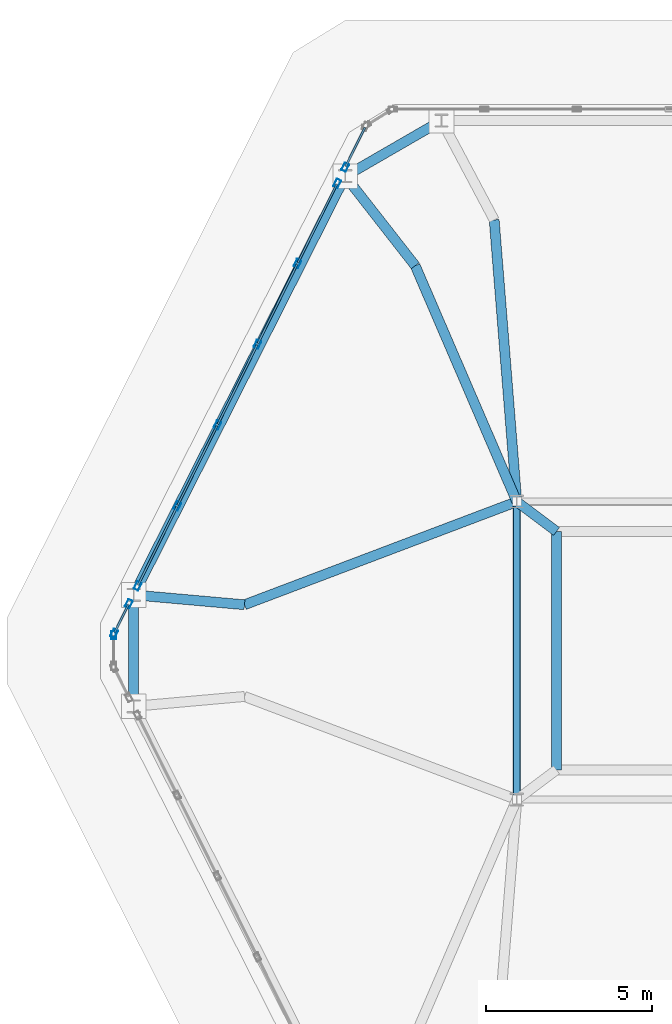
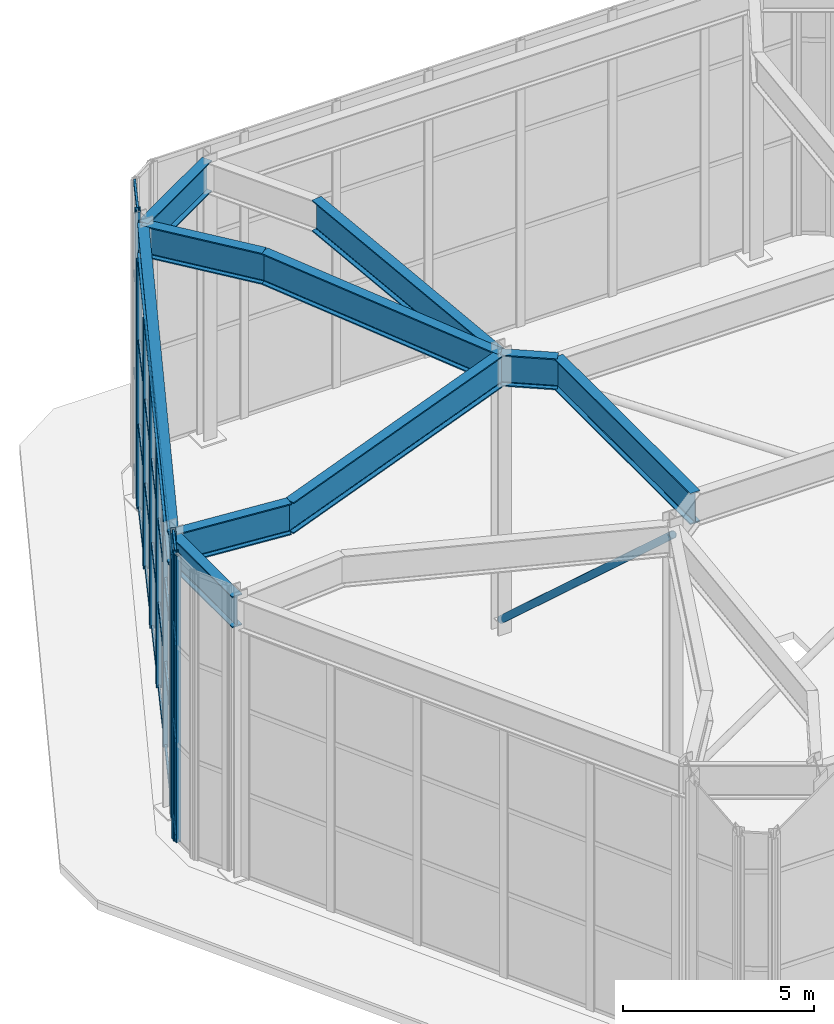
# One storey, part 5 of 12: 39 members, 10 beams, 4 elements without a shape of their own.
"""IFC4 building model written with IfcOpenShell, lengths in metres."""

from ifc_helpers import new_model, si_unit, direction, frame, origin, origin_2d, place, context, subcontext, project, spatial, hollow_rectangle, hollow_circle, i_section, extrude, material, layer, layer_set, material_profile, profile_set, type_object, element, aggregate, save


model = new_model("IFC4")

# Units and contexts
model_context = context("Model", 3, precision=1e-05, world=origin(), true_north=direction((0.0, 1.0)))
body_context = subcontext(model_context, "Body", "Model", "MODEL_VIEW")
ifc_project = project(units=[si_unit("LENGTHUNIT", "METRE"), si_unit("AREAUNIT", "SQUARE_METRE"), si_unit("VOLUMEUNIT", "CUBIC_METRE"), si_unit("PLANEANGLEUNIT", "RADIAN"), si_unit("MASSUNIT", "GRAM", prefix="KILO")], contexts=[model_context])

# Site, building, storey
site_placement = place(None, origin())
site = spatial("IfcSite", under=ifc_project, at=site_placement, CompositionType="ELEMENT")
building_placement = place(site_placement, origin())
building = spatial("IfcBuilding", under=site, at=building_placement, Name="Cinnabar Lancet Tower", CompositionType="ELEMENT")
storey_placement = place(building_placement, frame((0.0, 0.0, 305.5)))
storey = spatial("IfcBuildingStorey", under=building, at=storey_placement, Name="L80", CompositionType="ELEMENT", Elevation=305.5)

# Curtain wall, member
ifc_material_1 = material(Name="Thermally broken bronze-anodized aluminium and low-E glass", Category="aluminium")
ifc_layer = layer(ifc_material_1, 0.179931640625)
ifc_layer_set = layer_set([ifc_layer], Name="Thermally broken bronze-anodized aluminium and low-E glass")
curtain_wall_type = type_object("IfcCurtainWallType", Name="ENV-CW-SYS-05", PredefinedType="NOTDEFINED", material=ifc_layer_set)
curtain_wall_1_placement = place(storey_placement, origin())
curtain_wall_1 = element("IfcCurtainWall", 1, at=curtain_wall_1_placement, inside=storey, type_object=curtain_wall_type, Name="L80 Faceted Lancet Crown Curtain Wall 14", PredefinedType="NOTDEFINED")
ifc_material_2 = material(Name="Anodized architectural aluminium 6063-T6", Category="aluminium")
ifc_material_profile_1 = material_profile(ifc_material_2, hollow_rectangle(XDim=0.14990234375, YDim=0.25, WallThickness=0.010009765625, InnerFilletRadius=0.0048828125, OuterFilletRadius=0.014892578125, at=origin_2d()), Name="RHS 250x150x10")
ifc_profile_set_1 = profile_set([ifc_material_profile_1], Name="Anodized architectural aluminium 6063-T6")
member_type_1 = type_object("IfcMemberType", Name="ENV-CW-MUL-260", PredefinedType="MULLION", material=ifc_profile_set_1)
member_1_placement = place(storey_placement, frame((21.21728515625, 40.40185546875, 0.0), z_axis=(0.0, 0.0, 1.0), x_axis=(0.895820359373, -0.444416340533, 0.0)))
member_1 = element("IfcMember", 2, at=member_1_placement, type_object=member_type_1, Name="CW-05 mullion 2", PredefinedType="MULLION", context=body_context, shape_type="SweptSolid", body=[
    extrude(hollow_rectangle(XDim=0.14990234375, YDim=0.25, WallThickness=0.010009765625, InnerFilletRadius=0.0048828125, OuterFilletRadius=0.014892578125, at=origin_2d()), origin(), (0.0, 0.0, 1.0), 9.175048828125),
])

# Curtain wall, members
curtain_wall_2_placement = place(storey_placement, origin())
curtain_wall_2 = element("IfcCurtainWall", 3, at=curtain_wall_2_placement, inside=storey, type_object=curtain_wall_type, Name="L80 Faceted Lancet Crown Curtain Wall 15", PredefinedType="NOTDEFINED")
member_2_placement = place(storey_placement, frame((20.9755859375, 39.9140625, 0.0), z_axis=(0.0, 0.0, 1.0), x_axis=(0.8959477521, -0.44415945955, 0.0)))
member_2 = element("IfcMember", 4, at=member_2_placement, type_object=member_type_1, Name="CW-05 mullion 1", PredefinedType="MULLION", context=body_context, shape_type="SweptSolid", body=[
    extrude(hollow_rectangle(XDim=0.14990234375, YDim=0.25, WallThickness=0.010009765625, InnerFilletRadius=0.0048828125, OuterFilletRadius=0.014892578125, at=origin_2d()), origin(), (0.0, 0.0, 1.0), 7.9150390625),
])
member_3_placement = place(storey_placement, frame((19.778076171875, 37.498291015625, 0.0), z_axis=(0.0, 0.0, 1.0), x_axis=(0.8959477521, -0.44415945955, 0.0)))
member_3 = element("IfcMember", 5, at=member_3_placement, type_object=member_type_1, Name="CW-05 mullion 2", PredefinedType="MULLION", context=body_context, shape_type="SweptSolid", body=[
    extrude(hollow_rectangle(XDim=0.14990234375, YDim=0.25, WallThickness=0.010009765625, InnerFilletRadius=0.0048828125, OuterFilletRadius=0.014892578125, at=origin_2d()), origin(), (0.0, 0.0, 1.0), 7.9150390625),
])
member_4_placement = place(storey_placement, frame((18.56689453125, 35.055419921875, 0.0), z_axis=(0.0, 0.0, 1.0), x_axis=(0.8959477521, -0.44415945955, 0.0)))
member_4 = element("IfcMember", 6, at=member_4_placement, type_object=member_type_1, Name="CW-05 mullion 3", PredefinedType="MULLION", context=body_context, shape_type="SweptSolid", body=[
    extrude(hollow_rectangle(XDim=0.14990234375, YDim=0.25, WallThickness=0.010009765625, InnerFilletRadius=0.0048828125, OuterFilletRadius=0.014892578125, at=origin_2d()), origin(), (0.0, 0.0, 1.0), 7.9150390625),
])
member_5_placement = place(storey_placement, frame((17.35595703125, 32.612548828125, 0.0), z_axis=(0.0, 0.0, 1.0), x_axis=(0.8959477521, -0.44415945955, 0.0)))
member_5 = element("IfcMember", 7, at=member_5_placement, type_object=member_type_1, Name="CW-05 mullion 4", PredefinedType="MULLION", context=body_context, shape_type="SweptSolid", body=[
    extrude(hollow_rectangle(XDim=0.14990234375, YDim=0.25, WallThickness=0.010009765625, InnerFilletRadius=0.0048828125, OuterFilletRadius=0.014892578125, at=origin_2d()), origin(), (0.0, 0.0, 1.0), 7.9150390625),
])
member_6_placement = place(storey_placement, frame((16.14501953125, 30.169921875, 0.0), z_axis=(0.0, 0.0, 1.0), x_axis=(0.8959477521, -0.44415945955, 0.0)))
member_6 = element("IfcMember", 8, at=member_6_placement, type_object=member_type_1, Name="CW-05 mullion 5", PredefinedType="MULLION", context=body_context, shape_type="SweptSolid", body=[
    extrude(hollow_rectangle(XDim=0.14990234375, YDim=0.25, WallThickness=0.010009765625, InnerFilletRadius=0.0048828125, OuterFilletRadius=0.014892578125, at=origin_2d()), origin(), (0.0, 0.0, 1.0), 7.9150390625),
])
member_7_placement = place(storey_placement, frame((14.947265625, 27.75390625, 0.0), z_axis=(0.0, 0.0, 1.0), x_axis=(0.8959477521, -0.44415945955, 0.0)))
member_7 = element("IfcMember", 9, at=member_7_placement, type_object=member_type_1, Name="CW-05 mullion 6", PredefinedType="MULLION", context=body_context, shape_type="SweptSolid", body=[
    extrude(hollow_rectangle(XDim=0.14990234375, YDim=0.25, WallThickness=0.010009765625, InnerFilletRadius=0.0048828125, OuterFilletRadius=0.014892578125, at=origin_2d()), origin(), (0.0, 0.0, 1.0), 7.9150390625),
])

curtain_wall_3_placement = place(storey_placement, origin())
curtain_wall_3 = element("IfcCurtainWall", 10, at=curtain_wall_3_placement, inside=storey, type_object=curtain_wall_type, Name="L80 Faceted Lancet Crown Curtain Wall 16", PredefinedType="NOTDEFINED")
member_8_placement = place(storey_placement, frame((14.681640625, 27.217041015625, 0.0), z_axis=(0.0, 0.0, 1.0), x_axis=(0.895741955534, -0.444574345971, 0.0)))
member_8 = element("IfcMember", 11, at=member_8_placement, type_object=member_type_1, Name="CW-05 mullion 1", PredefinedType="MULLION", context=body_context, shape_type="SweptSolid", body=[
    extrude(hollow_rectangle(XDim=0.14990234375, YDim=0.25, WallThickness=0.010009765625, InnerFilletRadius=0.0048828125, OuterFilletRadius=0.014892578125, at=origin_2d()), origin(), (0.0, 0.0, 1.0), 9.175048828125),
])
member_9_placement = place(storey_placement, frame((14.236328125, 26.31982421875, 0.0), z_axis=(0.0, 0.0, 1.0), x_axis=(0.895741955534, -0.444574345971, 0.0)))
member_9 = element("IfcMember", 12, at=member_9_placement, type_object=member_type_1, Name="CW-05 mullion 2", PredefinedType="MULLION", context=body_context, shape_type="SweptSolid", body=[
    extrude(hollow_rectangle(XDim=0.14990234375, YDim=0.25, WallThickness=0.010009765625, InnerFilletRadius=0.0048828125, OuterFilletRadius=0.014892578125, at=origin_2d()), origin(), (0.0, 0.0, 1.0), 9.175048828125),
])

# Curtain wall, member
curtain_wall_4_placement = place(storey_placement, origin())
curtain_wall_4 = element("IfcCurtainWall", 13, at=curtain_wall_4_placement, inside=storey, type_object=curtain_wall_type, Name="L80 Faceted Lancet Crown Curtain Wall 17", PredefinedType="NOTDEFINED")
member_10_placement = place(storey_placement, frame((14.222900390625, 26.262939453125, 0.0), z_axis=(0.0, 0.0, 1.0), x_axis=(1.0, 0.0, 0.0)))
member_10 = element("IfcMember", 14, at=member_10_placement, type_object=member_type_1, Name="CW-05 mullion 1", PredefinedType="MULLION", context=body_context, shape_type="SweptSolid", body=[
    extrude(hollow_rectangle(XDim=0.14990234375, YDim=0.25, WallThickness=0.010009765625, InnerFilletRadius=0.0048828125, OuterFilletRadius=0.014892578125, at=origin_2d()), origin(), (0.0, 0.0, 1.0), 9.175048828125),
])
aggregate(curtain_wall_4, [member_10])

# Member
ifc_material_3 = material(Name="Anodized architectural aluminium 6063-T6", Category="aluminium")
ifc_material_profile_2 = material_profile(ifc_material_3, hollow_rectangle(XDim=0.06494140625, YDim=0.14990234375, WallThickness=0.00390625, InnerFilletRadius=0.001953125, OuterFilletRadius=0.006103515625, at=origin_2d()), Name="CW-TRN 150x65x4")
ifc_profile_set_2 = profile_set([ifc_material_profile_2], Name="Anodized architectural aluminium 6063-T6")
member_type_2 = type_object("IfcMemberType", Name="ENV-CW-TRN-160", PredefinedType="USERDEFINED", material=ifc_profile_set_2)
member_11_placement = place(storey_placement, frame((21.813232421875, 41.603271484375, 0.030029296875), z_axis=(-0.444306300403, -0.895874941843, 0.0), x_axis=(0.895874941843, -0.444306300403, 0.0)))
member_11 = element("IfcMember", 15, at=member_11_placement, type_object=member_type_2, Name="CW-05 transom 1.1", ObjectType="TRANSOM", PredefinedType="USERDEFINED", context=body_context, shape_type="SweptSolid", body=[
    extrude(hollow_rectangle(XDim=0.06494140625, YDim=0.14990234375, WallThickness=0.00390625, InnerFilletRadius=0.001953125, OuterFilletRadius=0.006103515625, at=origin_2d()), origin(), (0.0, 0.0, 1.0), 1.31103515625),
])

member_12_placement = place(storey_placement, frame((21.813232421875, 41.603271484375, 3.1201171875), z_axis=(-0.444306300403, -0.895874941843, 0.0), x_axis=(0.895874941843, -0.444306300403, 0.0)))
member_12 = element("IfcMember", 16, at=member_12_placement, type_object=member_type_2, Name="CW-05 transom 1.2", ObjectType="TRANSOM", PredefinedType="USERDEFINED", context=body_context, shape_type="SweptSolid", body=[
    extrude(hollow_rectangle(XDim=0.06494140625, YDim=0.14990234375, WallThickness=0.00390625, InnerFilletRadius=0.001953125, OuterFilletRadius=0.006103515625, at=origin_2d()), origin(), (0.0, 0.0, 1.0), 1.31103515625),
])

member_13_placement = place(storey_placement, frame((21.813232421875, 41.603271484375, 6.239013671875), z_axis=(-0.444306300403, -0.895874941843, 0.0), x_axis=(0.895874941843, -0.444306300403, 0.0)))
member_13 = element("IfcMember", 17, at=member_13_placement, type_object=member_type_2, Name="CW-05 transom 1.3", ObjectType="TRANSOM", PredefinedType="USERDEFINED", context=body_context, shape_type="SweptSolid", body=[
    extrude(hollow_rectangle(XDim=0.06494140625, YDim=0.14990234375, WallThickness=0.00390625, InnerFilletRadius=0.001953125, OuterFilletRadius=0.006103515625, at=origin_2d()), origin(), (0.0, 0.0, 1.0), 1.31103515625),
])

member_14_placement = place(storey_placement, frame((21.813232421875, 41.603271484375, 9.14501953125), z_axis=(-0.444306300403, -0.895874941843, 0.0), x_axis=(0.895874941843, -0.444306300403, 0.0)))
member_14 = element("IfcMember", 18, at=member_14_placement, type_object=member_type_2, Name="CW-05 transom 1.4", ObjectType="TRANSOM", PredefinedType="USERDEFINED", context=body_context, shape_type="SweptSolid", body=[
    extrude(hollow_rectangle(XDim=0.06494140625, YDim=0.14990234375, WallThickness=0.00390625, InnerFilletRadius=0.001953125, OuterFilletRadius=0.006103515625, at=origin_2d()), origin(), (0.0, 0.0, 1.0), 1.31103515625),
])

aggregate(curtain_wall_1, [member_1, member_11, member_12, member_13, member_14])

member_15_placement = place(storey_placement, frame((20.96240234375, 39.88720703125, 0.030029296875), z_axis=(-0.444210781456, -0.895922307814, 0.0), x_axis=(0.895922307814, -0.444210781456, 0.0)))
member_15 = element("IfcMember", 19, at=member_15_placement, type_object=member_type_2, Name="CW-05 transom 1.1", ObjectType="TRANSOM", PredefinedType="USERDEFINED", context=body_context, shape_type="SweptSolid", body=[
    extrude(hollow_rectangle(XDim=0.06494140625, YDim=0.14990234375, WallThickness=0.00390625, InnerFilletRadius=0.001953125, OuterFilletRadius=0.006103515625, at=origin_2d()), origin(), (0.0, 0.0, 1.0), 2.636474609375),
])

member_16_placement = place(storey_placement, frame((20.96240234375, 39.88720703125, 2.69091796875), z_axis=(-0.444210781456, -0.895922307814, 0.0), x_axis=(0.895922307814, -0.444210781456, 0.0)))
member_16 = element("IfcMember", 20, at=member_16_placement, type_object=member_type_2, Name="CW-05 transom 1.2", ObjectType="TRANSOM", PredefinedType="USERDEFINED", context=body_context, shape_type="SweptSolid", body=[
    extrude(hollow_rectangle(XDim=0.06494140625, YDim=0.14990234375, WallThickness=0.00390625, InnerFilletRadius=0.001953125, OuterFilletRadius=0.006103515625, at=origin_2d()), origin(), (0.0, 0.0, 1.0), 2.636474609375),
])

member_17_placement = place(storey_placement, frame((20.96240234375, 39.88720703125, 5.382080078125), z_axis=(-0.444210781456, -0.895922307814, 0.0), x_axis=(0.895922307814, -0.444210781456, 0.0)))
member_17 = element("IfcMember", 21, at=member_17_placement, type_object=member_type_2, Name="CW-05 transom 1.3", ObjectType="TRANSOM", PredefinedType="USERDEFINED", context=body_context, shape_type="SweptSolid", body=[
    extrude(hollow_rectangle(XDim=0.06494140625, YDim=0.14990234375, WallThickness=0.00390625, InnerFilletRadius=0.001953125, OuterFilletRadius=0.006103515625, at=origin_2d()), origin(), (0.0, 0.0, 1.0), 2.636474609375),
])

member_18_placement = place(storey_placement, frame((20.96240234375, 39.88720703125, 7.885009765625), z_axis=(-0.444210781456, -0.895922307814, 0.0), x_axis=(0.895922307814, -0.444210781456, 0.0)))
member_18 = element("IfcMember", 22, at=member_18_placement, type_object=member_type_2, Name="CW-05 transom 1.4", ObjectType="TRANSOM", PredefinedType="USERDEFINED", context=body_context, shape_type="SweptSolid", body=[
    extrude(hollow_rectangle(XDim=0.06494140625, YDim=0.14990234375, WallThickness=0.00390625, InnerFilletRadius=0.001953125, OuterFilletRadius=0.006103515625, at=origin_2d()), origin(), (0.0, 0.0, 1.0), 2.636474609375),
])

member_19_placement = place(storey_placement, frame((19.7646484375, 37.471435546875, 0.030029296875), z_axis=(-0.44413469279, -0.895960029611, 0.0), x_axis=(0.895960029611, -0.44413469279, 0.0)))
member_19 = element("IfcMember", 23, at=member_19_placement, type_object=member_type_2, Name="CW-05 transom 2.1", ObjectType="TRANSOM", PredefinedType="USERDEFINED", context=body_context, shape_type="SweptSolid", body=[
    extrude(hollow_rectangle(XDim=0.06494140625, YDim=0.14990234375, WallThickness=0.00390625, InnerFilletRadius=0.001953125, OuterFilletRadius=0.006103515625, at=origin_2d()), origin(), (0.0, 0.0, 1.0), 2.66650390625),
])

member_20_placement = place(storey_placement, frame((19.7646484375, 37.471435546875, 2.69091796875), z_axis=(-0.44413469279, -0.895960029611, 0.0), x_axis=(0.895960029611, -0.44413469279, 0.0)))
member_20 = element("IfcMember", 24, at=member_20_placement, type_object=member_type_2, Name="CW-05 transom 2.2", ObjectType="TRANSOM", PredefinedType="USERDEFINED", context=body_context, shape_type="SweptSolid", body=[
    extrude(hollow_rectangle(XDim=0.06494140625, YDim=0.14990234375, WallThickness=0.00390625, InnerFilletRadius=0.001953125, OuterFilletRadius=0.006103515625, at=origin_2d()), origin(), (0.0, 0.0, 1.0), 2.66650390625),
])

member_21_placement = place(storey_placement, frame((19.7646484375, 37.471435546875, 5.382080078125), z_axis=(-0.44413469279, -0.895960029611, 0.0), x_axis=(0.895960029611, -0.44413469279, 0.0)))
member_21 = element("IfcMember", 25, at=member_21_placement, type_object=member_type_2, Name="CW-05 transom 2.3", ObjectType="TRANSOM", PredefinedType="USERDEFINED", context=body_context, shape_type="SweptSolid", body=[
    extrude(hollow_rectangle(XDim=0.06494140625, YDim=0.14990234375, WallThickness=0.00390625, InnerFilletRadius=0.001953125, OuterFilletRadius=0.006103515625, at=origin_2d()), origin(), (0.0, 0.0, 1.0), 2.66650390625),
])

member_22_placement = place(storey_placement, frame((19.7646484375, 37.471435546875, 7.885009765625), z_axis=(-0.44413469279, -0.895960029611, 0.0), x_axis=(0.895960029611, -0.44413469279, 0.0)))
member_22 = element("IfcMember", 26, at=member_22_placement, type_object=member_type_2, Name="CW-05 transom 2.4", ObjectType="TRANSOM", PredefinedType="USERDEFINED", context=body_context, shape_type="SweptSolid", body=[
    extrude(hollow_rectangle(XDim=0.06494140625, YDim=0.14990234375, WallThickness=0.00390625, InnerFilletRadius=0.001953125, OuterFilletRadius=0.006103515625, at=origin_2d()), origin(), (0.0, 0.0, 1.0), 2.66650390625),
])

member_23_placement = place(storey_placement, frame((18.5537109375, 35.028564453125, 0.030029296875), z_axis=(-0.44413469279, -0.895960029611, 0.0), x_axis=(0.895960029611, -0.44413469279, 0.0)))
member_23 = element("IfcMember", 27, at=member_23_placement, type_object=member_type_2, Name="CW-05 transom 3.1", ObjectType="TRANSOM", PredefinedType="USERDEFINED", context=body_context, shape_type="SweptSolid", body=[
    extrude(hollow_rectangle(XDim=0.06494140625, YDim=0.14990234375, WallThickness=0.00390625, InnerFilletRadius=0.001953125, OuterFilletRadius=0.006103515625, at=origin_2d()), origin(), (0.0, 0.0, 1.0), 2.66650390625),
])

member_24_placement = place(storey_placement, frame((18.5537109375, 35.028564453125, 2.69091796875), z_axis=(-0.44413469279, -0.895960029611, 0.0), x_axis=(0.895960029611, -0.44413469279, 0.0)))
member_24 = element("IfcMember", 28, at=member_24_placement, type_object=member_type_2, Name="CW-05 transom 3.2", ObjectType="TRANSOM", PredefinedType="USERDEFINED", context=body_context, shape_type="SweptSolid", body=[
    extrude(hollow_rectangle(XDim=0.06494140625, YDim=0.14990234375, WallThickness=0.00390625, InnerFilletRadius=0.001953125, OuterFilletRadius=0.006103515625, at=origin_2d()), origin(), (0.0, 0.0, 1.0), 2.66650390625),
])

member_25_placement = place(storey_placement, frame((18.5537109375, 35.028564453125, 5.382080078125), z_axis=(-0.44413469279, -0.895960029611, 0.0), x_axis=(0.895960029611, -0.44413469279, 0.0)))
member_25 = element("IfcMember", 29, at=member_25_placement, type_object=member_type_2, Name="CW-05 transom 3.3", ObjectType="TRANSOM", PredefinedType="USERDEFINED", context=body_context, shape_type="SweptSolid", body=[
    extrude(hollow_rectangle(XDim=0.06494140625, YDim=0.14990234375, WallThickness=0.00390625, InnerFilletRadius=0.001953125, OuterFilletRadius=0.006103515625, at=origin_2d()), origin(), (0.0, 0.0, 1.0), 2.66650390625),
])

member_26_placement = place(storey_placement, frame((18.5537109375, 35.028564453125, 7.885009765625), z_axis=(-0.44413469279, -0.895960029611, 0.0), x_axis=(0.895960029611, -0.44413469279, 0.0)))
member_26 = element("IfcMember", 30, at=member_26_placement, type_object=member_type_2, Name="CW-05 transom 3.4", ObjectType="TRANSOM", PredefinedType="USERDEFINED", context=body_context, shape_type="SweptSolid", body=[
    extrude(hollow_rectangle(XDim=0.06494140625, YDim=0.14990234375, WallThickness=0.00390625, InnerFilletRadius=0.001953125, OuterFilletRadius=0.006103515625, at=origin_2d()), origin(), (0.0, 0.0, 1.0), 2.66650390625),
])

member_27_placement = place(storey_placement, frame((17.3427734375, 32.585693359375, 0.030029296875), z_axis=(-0.444244621799, -0.895905528503, 0.0), x_axis=(0.895905528503, -0.444244621799, 0.0)))
member_27 = element("IfcMember", 31, at=member_27_placement, type_object=member_type_2, Name="CW-05 transom 4.1", ObjectType="TRANSOM", PredefinedType="USERDEFINED", context=body_context, shape_type="SweptSolid", body=[
    extrude(hollow_rectangle(XDim=0.06494140625, YDim=0.14990234375, WallThickness=0.00390625, InnerFilletRadius=0.001953125, OuterFilletRadius=0.006103515625, at=origin_2d()), origin(), (0.0, 0.0, 1.0), 2.66650390625),
])

member_28_placement = place(storey_placement, frame((17.3427734375, 32.585693359375, 2.69091796875), z_axis=(-0.444244621799, -0.895905528503, 0.0), x_axis=(0.895905528503, -0.444244621799, 0.0)))
member_28 = element("IfcMember", 32, at=member_28_placement, type_object=member_type_2, Name="CW-05 transom 4.2", ObjectType="TRANSOM", PredefinedType="USERDEFINED", context=body_context, shape_type="SweptSolid", body=[
    extrude(hollow_rectangle(XDim=0.06494140625, YDim=0.14990234375, WallThickness=0.00390625, InnerFilletRadius=0.001953125, OuterFilletRadius=0.006103515625, at=origin_2d()), origin(), (0.0, 0.0, 1.0), 2.66650390625),
])

member_29_placement = place(storey_placement, frame((17.3427734375, 32.585693359375, 5.382080078125), z_axis=(-0.444244621799, -0.895905528503, 0.0), x_axis=(0.895905528503, -0.444244621799, 0.0)))
member_29 = element("IfcMember", 33, at=member_29_placement, type_object=member_type_2, Name="CW-05 transom 4.3", ObjectType="TRANSOM", PredefinedType="USERDEFINED", context=body_context, shape_type="SweptSolid", body=[
    extrude(hollow_rectangle(XDim=0.06494140625, YDim=0.14990234375, WallThickness=0.00390625, InnerFilletRadius=0.001953125, OuterFilletRadius=0.006103515625, at=origin_2d()), origin(), (0.0, 0.0, 1.0), 2.66650390625),
])

member_30_placement = place(storey_placement, frame((17.3427734375, 32.585693359375, 7.885009765625), z_axis=(-0.444244621799, -0.895905528503, 0.0), x_axis=(0.895905528503, -0.444244621799, 0.0)))
member_30 = element("IfcMember", 34, at=member_30_placement, type_object=member_type_2, Name="CW-05 transom 4.4", ObjectType="TRANSOM", PredefinedType="USERDEFINED", context=body_context, shape_type="SweptSolid", body=[
    extrude(hollow_rectangle(XDim=0.06494140625, YDim=0.14990234375, WallThickness=0.00390625, InnerFilletRadius=0.001953125, OuterFilletRadius=0.006103515625, at=origin_2d()), origin(), (0.0, 0.0, 1.0), 2.66650390625),
])

member_31_placement = place(storey_placement, frame((16.131591796875, 30.142822265625, 0.030029296875), z_axis=(-0.444136447563, -0.895959159753, 0.0), x_axis=(0.895959159753, -0.444136447563, 0.0)))
member_31 = element("IfcMember", 35, at=member_31_placement, type_object=member_type_2, Name="CW-05 transom 5.1", ObjectType="TRANSOM", PredefinedType="USERDEFINED", context=body_context, shape_type="SweptSolid", body=[
    extrude(hollow_rectangle(XDim=0.06494140625, YDim=0.14990234375, WallThickness=0.00390625, InnerFilletRadius=0.001953125, OuterFilletRadius=0.006103515625, at=origin_2d()), origin(), (0.0, 0.0, 1.0), 2.63623046875),
])

member_32_placement = place(storey_placement, frame((16.131591796875, 30.142822265625, 2.69091796875), z_axis=(-0.444136447563, -0.895959159753, 0.0), x_axis=(0.895959159753, -0.444136447563, 0.0)))
member_32 = element("IfcMember", 36, at=member_32_placement, type_object=member_type_2, Name="CW-05 transom 5.2", ObjectType="TRANSOM", PredefinedType="USERDEFINED", context=body_context, shape_type="SweptSolid", body=[
    extrude(hollow_rectangle(XDim=0.06494140625, YDim=0.14990234375, WallThickness=0.00390625, InnerFilletRadius=0.001953125, OuterFilletRadius=0.006103515625, at=origin_2d()), origin(), (0.0, 0.0, 1.0), 2.63623046875),
])

member_33_placement = place(storey_placement, frame((16.131591796875, 30.142822265625, 5.382080078125), z_axis=(-0.444136447563, -0.895959159753, 0.0), x_axis=(0.895959159753, -0.444136447563, 0.0)))
member_33 = element("IfcMember", 37, at=member_33_placement, type_object=member_type_2, Name="CW-05 transom 5.3", ObjectType="TRANSOM", PredefinedType="USERDEFINED", context=body_context, shape_type="SweptSolid", body=[
    extrude(hollow_rectangle(XDim=0.06494140625, YDim=0.14990234375, WallThickness=0.00390625, InnerFilletRadius=0.001953125, OuterFilletRadius=0.006103515625, at=origin_2d()), origin(), (0.0, 0.0, 1.0), 2.63623046875),
])

member_34_placement = place(storey_placement, frame((16.131591796875, 30.142822265625, 7.885009765625), z_axis=(-0.444136447563, -0.895959159753, 0.0), x_axis=(0.895959159753, -0.444136447563, 0.0)))
member_34 = element("IfcMember", 38, at=member_34_placement, type_object=member_type_2, Name="CW-05 transom 5.4", ObjectType="TRANSOM", PredefinedType="USERDEFINED", context=body_context, shape_type="SweptSolid", body=[
    extrude(hollow_rectangle(XDim=0.06494140625, YDim=0.14990234375, WallThickness=0.00390625, InnerFilletRadius=0.001953125, OuterFilletRadius=0.006103515625, at=origin_2d()), origin(), (0.0, 0.0, 1.0), 2.63623046875),
])

aggregate(curtain_wall_2, [member_2, member_3, member_4, member_5, member_6, member_7, member_15, member_16, member_17, member_18, member_19, member_20, member_21, member_22, member_23, member_24, member_25, member_26, member_27, member_28, member_29, member_30, member_31, member_32, member_33, member_34])

member_35_placement = place(storey_placement, frame((14.668212890625, 27.190185546875, 0.030029296875), z_axis=(-0.444411146811, -0.895822935959, 0.0), x_axis=(0.895822935959, -0.444411146811, 0.0)))
member_35 = element("IfcMember", 39, at=member_35_placement, type_object=member_type_2, Name="CW-05 transom 1.1", ObjectType="TRANSOM", PredefinedType="USERDEFINED", context=body_context, shape_type="SweptSolid", body=[
    extrude(hollow_rectangle(XDim=0.06494140625, YDim=0.14990234375, WallThickness=0.00390625, InnerFilletRadius=0.001953125, OuterFilletRadius=0.006103515625, at=origin_2d()), origin(), (0.0, 0.0, 1.0), 0.941650390625),
])

member_36_placement = place(storey_placement, frame((14.668212890625, 27.190185546875, 3.1201171875), z_axis=(-0.444411146811, -0.895822935959, 0.0), x_axis=(0.895822935959, -0.444411146811, 0.0)))
member_36 = element("IfcMember", 40, at=member_36_placement, type_object=member_type_2, Name="CW-05 transom 1.2", ObjectType="TRANSOM", PredefinedType="USERDEFINED", context=body_context, shape_type="SweptSolid", body=[
    extrude(hollow_rectangle(XDim=0.06494140625, YDim=0.14990234375, WallThickness=0.00390625, InnerFilletRadius=0.001953125, OuterFilletRadius=0.006103515625, at=origin_2d()), origin(), (0.0, 0.0, 1.0), 0.941650390625),
])

member_37_placement = place(storey_placement, frame((14.668212890625, 27.190185546875, 6.239013671875), z_axis=(-0.444411146811, -0.895822935959, 0.0), x_axis=(0.895822935959, -0.444411146811, 0.0)))
member_37 = element("IfcMember", 41, at=member_37_placement, type_object=member_type_2, Name="CW-05 transom 1.3", ObjectType="TRANSOM", PredefinedType="USERDEFINED", context=body_context, shape_type="SweptSolid", body=[
    extrude(hollow_rectangle(XDim=0.06494140625, YDim=0.14990234375, WallThickness=0.00390625, InnerFilletRadius=0.001953125, OuterFilletRadius=0.006103515625, at=origin_2d()), origin(), (0.0, 0.0, 1.0), 0.941650390625),
])

member_38_placement = place(storey_placement, frame((14.668212890625, 27.190185546875, 9.14501953125), z_axis=(-0.444411146811, -0.895822935959, 0.0), x_axis=(0.895822935959, -0.444411146811, 0.0)))
member_38 = element("IfcMember", 42, at=member_38_placement, type_object=member_type_2, Name="CW-05 transom 1.4", ObjectType="TRANSOM", PredefinedType="USERDEFINED", context=body_context, shape_type="SweptSolid", body=[
    extrude(hollow_rectangle(XDim=0.06494140625, YDim=0.14990234375, WallThickness=0.00390625, InnerFilletRadius=0.001953125, OuterFilletRadius=0.006103515625, at=origin_2d()), origin(), (0.0, 0.0, 1.0), 0.941650390625),
])

aggregate(curtain_wall_3, [member_8, member_9, member_35, member_36, member_37, member_38])

# Beams
ifc_material_4 = material(Name="Structural steel S460", Category="steel")
ifc_material_profile_3 = material_profile(ifc_material_4, i_section(OverallWidth=0.300048828125, OverallDepth=1.0, WebThickness=0.01904296875, FlangeThickness=0.035888671875, FilletRadius=0.030029296875, at=origin_2d()), Name="UKB 1016x305x314")
ifc_profile_set_3 = profile_set([ifc_material_profile_3], Name="Structural steel S460")
beam_type = type_object("IfcBeamType", Name="STR-BM-UKB1016-314", PredefinedType="BEAM", material=ifc_profile_set_3)
beam_1_placement = place(storey_placement, frame((24.125, 41.81103515625, 8.425048828125), z_axis=(-0.865748126485, -0.500479951134, 0.0), x_axis=(0.500479951134, -0.865748126485, 0.0)))
element("IfcBeam", 43, at=beam_1_placement, inside=storey, type_object=beam_type, Name="L81 Setback Outer Ring Girder 8", PredefinedType="BEAM", context=body_context, shape_type="SweptSolid", body=[
    extrude(i_section(OverallWidth=0.300048828125, OverallDepth=1.0, WebThickness=0.01904296875, FlangeThickness=0.035888671875, FilletRadius=0.030029296875, at=origin_2d()), origin(), (0.0, 0.0, 1.0), 3.356689453125),
])
beam_2_placement = place(storey_placement, frame((21.218994140625, 40.131103515625, 8.425048828125), z_axis=(-0.451047742024, -0.892499823201, 0.0), x_axis=(0.892499823201, -0.451047742024, 0.0)))
element("IfcBeam", 44, at=beam_2_placement, inside=storey, type_object=beam_type, Name="L81 Setback Outer Ring Girder 9", PredefinedType="BEAM", context=body_context, shape_type="SweptSolid", body=[
    extrude(i_section(OverallWidth=0.300048828125, OverallDepth=1.0, WebThickness=0.01904296875, FlangeThickness=0.035888671875, FilletRadius=0.030029296875, at=origin_2d()), origin(), (0.0, 0.0, 1.0), 14.171630859375),
])
beam_3_placement = place(storey_placement, frame((14.826904296875, 27.48291015625, 8.425048828125), z_axis=(0.0, -1.0, 0.0), x_axis=(1.0, 0.0, 0.0)))
element("IfcBeam", 45, at=beam_3_placement, inside=storey, type_object=beam_type, Name="L81 Setback Outer Ring Girder 10", PredefinedType="BEAM", context=body_context, shape_type="SweptSolid", body=[
    extrude(i_section(OverallWidth=0.300048828125, OverallDepth=1.0, WebThickness=0.01904296875, FlangeThickness=0.035888671875, FilletRadius=0.030029296875, at=origin_2d()), origin(), (0.0, 0.0, 1.0), 3.365966796875),
])
beam_4_placement = place(storey_placement, frame((25.717041015625, 38.81103515625, 8.425048828125), z_axis=(0.07997592259, -0.996796795644, 0.0), x_axis=(0.996796795644, 0.07997592259, 0.0)))
element("IfcBeam", 46, at=beam_4_placement, inside=storey, type_object=beam_type, Name="L81 Crown Setback Radial Girder 8", PredefinedType="BEAM", context=body_context, shape_type="SweptSolid", body=[
    extrude(i_section(OverallWidth=0.300048828125, OverallDepth=1.0, WebThickness=0.01904296875, FlangeThickness=0.035888671875, FilletRadius=0.030029296875, at=origin_2d()), origin(), (0.0, 0.0, 1.0), 8.538330078125),
])
beam_5_placement = place(storey_placement, frame((21.218994140625, 40.131103515625, 8.425048828125), z_axis=(0.615688236076, -0.787989845085, 0.0), x_axis=(0.787989845085, 0.615688236076, 0.0)))
element("IfcBeam", 47, at=beam_5_placement, inside=storey, type_object=beam_type, Name="L81 Crown Setback Strut Girder 9", PredefinedType="BEAM", context=body_context, shape_type="SweptSolid", body=[
    extrude(i_section(OverallWidth=0.300048828125, OverallDepth=1.0, WebThickness=0.01904296875, FlangeThickness=0.035888671875, FilletRadius=0.030029296875, at=origin_2d()), origin(), (0.0, 0.0, 1.0), 3.430419921875),
])
beam_6_placement = place(storey_placement, frame((23.3310546875, 37.427978515625, 8.425048828125), z_axis=(0.395445080383, -0.918489623458, 0.0), x_axis=(0.918489623458, 0.395445080383, 0.0)))
element("IfcBeam", 48, at=beam_6_placement, inside=storey, type_object=beam_type, Name="L81 Crown Setback Radial Girder 9", PredefinedType="BEAM", context=body_context, shape_type="SweptSolid", body=[
    extrude(i_section(OverallWidth=0.300048828125, OverallDepth=1.0, WebThickness=0.01904296875, FlangeThickness=0.035888671875, FilletRadius=0.030029296875, at=origin_2d()), origin(), (0.0, 0.0, 1.0), 7.760498046875),
])
beam_7_placement = place(storey_placement, frame((14.826904296875, 27.48291015625, 8.425048828125), z_axis=(0.996064092905, -0.088635900317, 0.0), x_axis=(0.088635900317, 0.996064092905, 0.0)))
element("IfcBeam", 49, at=beam_7_placement, inside=storey, type_object=beam_type, Name="L81 Crown Setback Strut Girder 10", PredefinedType="BEAM", context=body_context, shape_type="SweptSolid", body=[
    extrude(i_section(OverallWidth=0.300048828125, OverallDepth=1.0, WebThickness=0.01904296875, FlangeThickness=0.035888671875, FilletRadius=0.030029296875, at=origin_2d()), origin(), (0.0, 0.0, 1.0), 3.3603515625),
])
beam_8_placement = place(storey_placement, frame((18.174072265625, 27.18505859375, 8.425048828125), z_axis=(0.935191622196, 0.354142103927, 0.0), x_axis=(-0.354142103927, 0.935191622196, 0.0)))
element("IfcBeam", 50, at=beam_8_placement, inside=storey, type_object=beam_type, Name="L81 Crown Setback Radial Girder 10", PredefinedType="BEAM", context=body_context, shape_type="SweptSolid", body=[
    extrude(i_section(OverallWidth=0.300048828125, OverallDepth=1.0, WebThickness=0.01904296875, FlangeThickness=0.035888671875, FilletRadius=0.030029296875, at=origin_2d()), origin(), (0.0, 0.0, 1.0), 8.7958984375),
])
beam_9_placement = place(storey_placement, frame((26.39990234375, 30.300048828125, 8.425048828125), z_axis=(0.8, -0.6, 0.0), x_axis=(0.6, 0.8, 0.0)))
element("IfcBeam", 51, at=beam_9_placement, inside=storey, type_object=beam_type, Name="L81 Crown Inner Ring Transfer 4", PredefinedType="BEAM", context=body_context, shape_type="SweptSolid", body=[
    extrude(i_section(OverallWidth=0.300048828125, OverallDepth=1.0, WebThickness=0.01904296875, FlangeThickness=0.035888671875, FilletRadius=0.030029296875, at=origin_2d()), origin(), (0.0, 0.0, 1.0), 1.500244140625),
])
beam_10_placement = place(storey_placement, frame((27.60009765625, 29.39990234375, 8.425048828125), z_axis=(0.0, -1.0, 0.0), x_axis=(1.0, 0.0, 0.0)))
element("IfcBeam", 52, at=beam_10_placement, inside=storey, type_object=beam_type, Name="L81 Crown Inner Ring Tie 4", PredefinedType="BEAM", context=body_context, shape_type="SweptSolid", body=[
    extrude(i_section(OverallWidth=0.300048828125, OverallDepth=1.0, WebThickness=0.01904296875, FlangeThickness=0.035888671875, FilletRadius=0.030029296875, at=origin_2d()), origin(), (0.0, 0.0, 1.0), 7.199951171875),
])

# Member
ifc_material_5 = material(Name="Structural steel S460", Category="steel")
ifc_material_profile_4 = material_profile(ifc_material_5, hollow_circle(Radius=0.109619140625, WallThickness=0.010009765625, at=origin_2d()), Name="CHS 219.1x10")
ifc_profile_set_4 = profile_set([ifc_material_profile_4], Name="Structural steel S460")
member_type_3 = type_object("IfcMemberType", Name="STR-MEM-CRN-BRC219", PredefinedType="BRACE", material=ifc_profile_set_4)
member_39_placement = place(storey_placement, frame((26.39990234375, 30.300048828125, 0.35009765625), z_axis=(0.0, -0.740227121961, 0.672356905158), x_axis=(1.0, 0.0, 0.0)))
element("IfcMember", 53, at=member_39_placement, inside=storey, type_object=member_type_3, Name="L80 Crown Lancet Core Brace 4", PredefinedType="BRACE", context=body_context, shape_type="SweptSolid", body=[
    extrude(hollow_circle(Radius=0.109619140625, WallThickness=0.010009765625, at=origin_2d()), origin(), (0.0, 0.0, 1.0), 12.158447265625),
])

save(model, "model.ifc")
